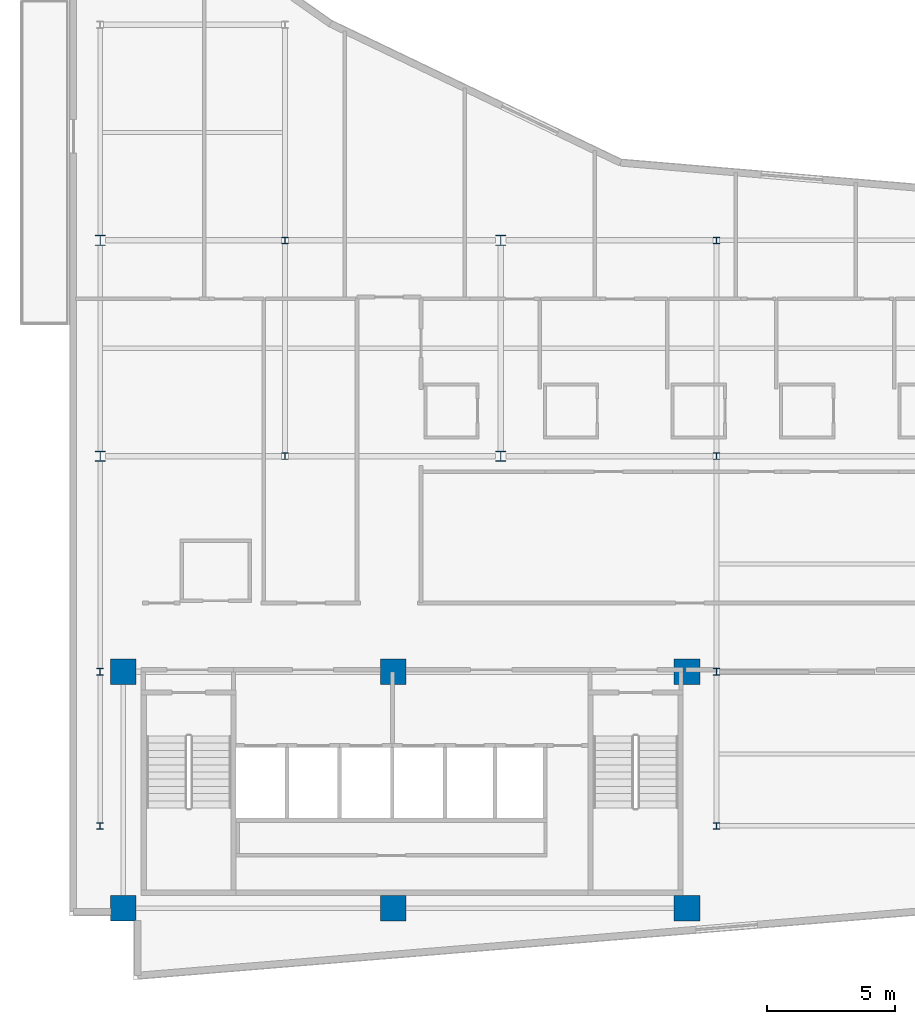
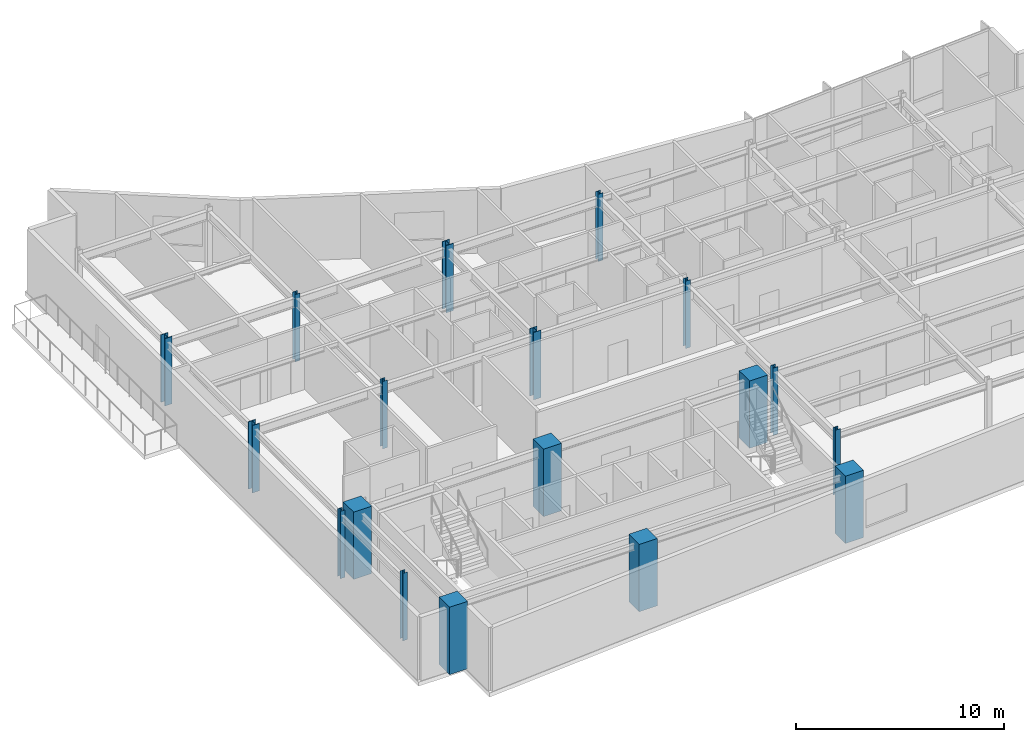
# One storey, part 1 of 16: 18 columns.
"""IFC4 building model written with IfcOpenShell, lengths in metres."""

from ifc_helpers import new_model, si_unit, direction, frame, origin, origin_2d, place, context, subcontext, project, spatial, rectangle, i_section, extrude, material, material_profile, profile_set, type_object, element, save


model = new_model("IFC4")

# Units and contexts
model_context = context("Model", 3, precision=1e-05, world=origin(), true_north=direction((0.0, 1.0)))
body_context = subcontext(model_context, "Body", "Model", "MODEL_VIEW")
ifc_project = project(units=[si_unit("LENGTHUNIT", "METRE"), si_unit("AREAUNIT", "SQUARE_METRE"), si_unit("VOLUMEUNIT", "CUBIC_METRE"), si_unit("PLANEANGLEUNIT", "RADIAN"), si_unit("MASSUNIT", "GRAM", prefix="KILO")], contexts=[model_context])

# Site, building, storey
site_placement = place(None, origin())
site = spatial("IfcSite", under=ifc_project, at=site_placement, CompositionType="ELEMENT")
building_placement = place(site_placement, origin())
building = spatial("IfcBuilding", under=site, at=building_placement, Name="Varnakote Quay Hospital", CompositionType="ELEMENT")
storey_placement = place(building_placement, frame((0.0, 0.0, 223.699951171875)))
storey = spatial("IfcBuildingStorey", under=building, at=storey_placement, Name="L55", CompositionType="ELEMENT", Elevation=223.699951171875)

# Columns
ifc_material_1 = material(Name="Concrete N65 (f'c 65 MPa)", Category="concrete")
ifc_material_profile_1 = material_profile(ifc_material_1, rectangle(XDim=1.0, YDim=1.0, at=origin_2d()), Name="RC-COL-1000x1000")
ifc_profile_set_1 = profile_set([ifc_material_profile_1], Name="Concrete N65 (f'c 65 MPa)")
column_type_1 = type_object("IfcColumnType", Name="COL-RC-1000", PredefinedType="COLUMN", material=ifc_profile_set_1)
for number, where, z_axis, x_axis, name in (
    (1, (2.10009765625, 2.800048828125, 0.0), (0.0, 0.0, 1.0), (1.0, 0.0, 0.0), "L55 Structural Column C-2-3"),
    (2, (12.6201171875, 2.800048828125, 0.0), (0.0, 0.0, 1.0), (1.0, 0.0, 0.0), "L55 Structural Column C-13-3"),
    (3, (24.050048828125, 2.800048828125, 0.0), (0.0, 0.0, 1.0), (1.0, 0.0, 0.0), "L55 Structural Column C-24-3"),
    (4, (2.10009765625, 12.0, 0.0), (0.0, 0.0, 1.0), (1.0, 0.0, 0.0), "L55 Structural Column C-2-12"),
    (5, (12.6201171875, 12.0, 0.0), (0.0, 0.0, 1.0), (1.0, 0.0, 0.0), "L55 Structural Column C-13-12"),
    (6, (24.050048828125, 12.0, 0.0), (0.0, 0.0, 1.0), (1.0, 0.0, 0.0), "L55 Structural Column C-24-12"),
):
    element("IfcColumn", number, at=place(storey_placement, frame(where, z_axis=z_axis, x_axis=x_axis)), inside=storey, type_object=column_type_1, Name=name, PredefinedType="COLUMN", context=body_context, shape_type="SweptSolid", body=[
        extrude(rectangle(XDim=1.0, YDim=1.0, at=origin_2d()), origin(), (0.0, 0.0, 1.0), 3.949951171875),
    ])
ifc_material_2 = material(Name="Structural steel AS/NZS 3679.1 Grade 350 L0 (fy 340 MPa)", Category="steel")
ifc_material_profile_2 = material_profile(ifc_material_2, i_section(OverallWidth=0.256103515625, OverallDepth=0.260009765625, WebThickness=0.010498046875, FlangeThickness=0.017333984375, FilletRadius=0.0126953125, at=origin_2d()), Name="250UC89.5")
ifc_profile_set_2 = profile_set([ifc_material_profile_2], Name="Structural steel AS/NZS 3679.1 Grade 350 L0 (fy 340 MPa)")
column_type_2 = type_object("IfcColumnType", Name="COL-STL-250UC89-5", PredefinedType="COLUMN", material=ifc_profile_set_2)
for number, where, z_axis, x_axis, name in (
    (7, (1.199951171875, 6.0, 0.0), (0.0, 0.0, 1.0), (1.0, 0.0, 0.0), "L55 Structural Column C-1-6"),
    (8, (25.199951171875, 6.0, 0.0), (0.0, 0.0, 1.0), (1.0, 0.0, 0.0), "L55 Structural Column C-25-6"),
    (9, (1.199951171875, 12.0, 0.0), (0.0, 0.0, 1.0), (1.0, 0.0, 0.0), "L55 Structural Column C-1-12"),
    (10, (25.199951171875, 12.0, 0.0), (0.0, 0.0, 1.0), (1.0, 0.0, 0.0), "L55 Structural Column C-25-12"),
    (11, (8.39990234375, 20.39990234375, 0.0), (0.0, 0.0, 1.0), (1.0, 0.0, 0.0), "L55 Structural Column C-8-20"),
    (12, (25.199951171875, 20.39990234375, 0.0), (0.0, 0.0, 1.0), (1.0, 0.0, 0.0), "L55 Structural Column C-25-20"),
    (13, (8.39990234375, 28.800048828125, 0.0), (0.0, 0.0, 1.0), (1.0, 0.0, 0.0), "L55 Structural Column C-8-29"),
    (14, (25.199951171875, 28.800048828125, 0.0), (0.0, 0.0, 1.0), (1.0, 0.0, 0.0), "L55 Structural Column C-25-29"),
):
    element("IfcColumn", number, at=place(storey_placement, frame(where, z_axis=z_axis, x_axis=x_axis)), inside=storey, type_object=column_type_2, Name=name, PredefinedType="COLUMN", context=body_context, shape_type="SweptSolid", body=[
        extrude(i_section(OverallWidth=0.256103515625, OverallDepth=0.260009765625, WebThickness=0.010498046875, FlangeThickness=0.017333984375, FilletRadius=0.0126953125, at=origin_2d()), origin(), (0.0, 0.0, 1.0), 3.949951171875),
    ])
ifc_material_3 = material(Name="Structural steel AS/NZS 3678 Grade 350 (fy 340 MPa)", Category="steel")
ifc_material_profile_3 = material_profile(ifc_material_3, i_section(OverallWidth=0.39990234375, OverallDepth=0.404052734375, WebThickness=0.02001953125, FlangeThickness=0.031982421875, at=origin_2d()), Name="400WC270")
ifc_profile_set_3 = profile_set([ifc_material_profile_3], Name="Structural steel AS/NZS 3678 Grade 350 (fy 340 MPa)")
column_type_3 = type_object("IfcColumnType", Name="COL-STL-400WC270", PredefinedType="COLUMN", material=ifc_profile_set_3)
for number, where, z_axis, x_axis, name in (
    (15, (1.199951171875, 20.39990234375, 0.0), (0.0, 0.0, 1.0), (1.0, 0.0, 0.0), "L55 Structural Column C-1-20"),
    (16, (16.800048828125, 20.39990234375, 0.0), (0.0, 0.0, 1.0), (1.0, 0.0, 0.0), "L55 Structural Column C-17-20"),
    (17, (1.199951171875, 28.800048828125, 0.0), (0.0, 0.0, 1.0), (1.0, 0.0, 0.0), "L55 Structural Column C-1-29"),
    (18, (16.800048828125, 28.800048828125, 0.0), (0.0, 0.0, 1.0), (1.0, 0.0, 0.0), "L55 Structural Column C-17-29"),
):
    element("IfcColumn", number, at=place(storey_placement, frame(where, z_axis=z_axis, x_axis=x_axis)), inside=storey, type_object=column_type_3, Name=name, PredefinedType="COLUMN", context=body_context, shape_type="SweptSolid", body=[
        extrude(i_section(OverallWidth=0.39990234375, OverallDepth=0.404052734375, WebThickness=0.02001953125, FlangeThickness=0.031982421875, at=origin_2d()), origin(), (0.0, 0.0, 1.0), 3.949951171875),
    ])

save(model, "model.ifc")
